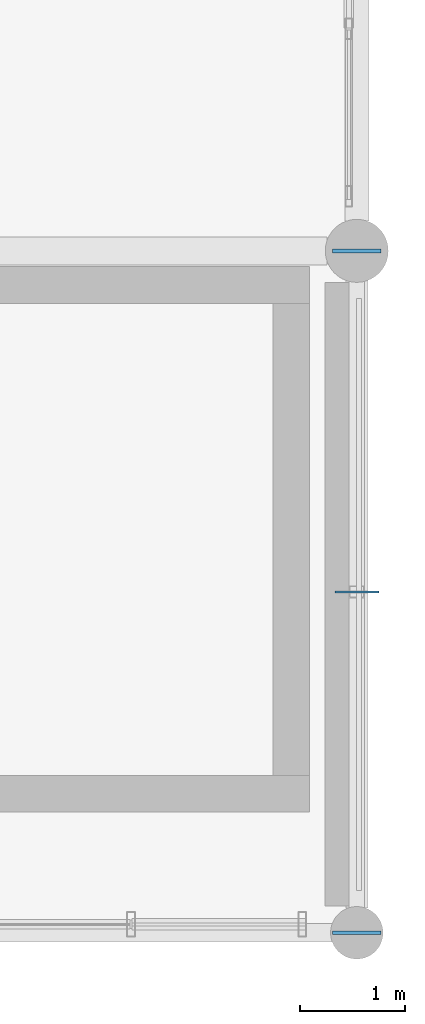
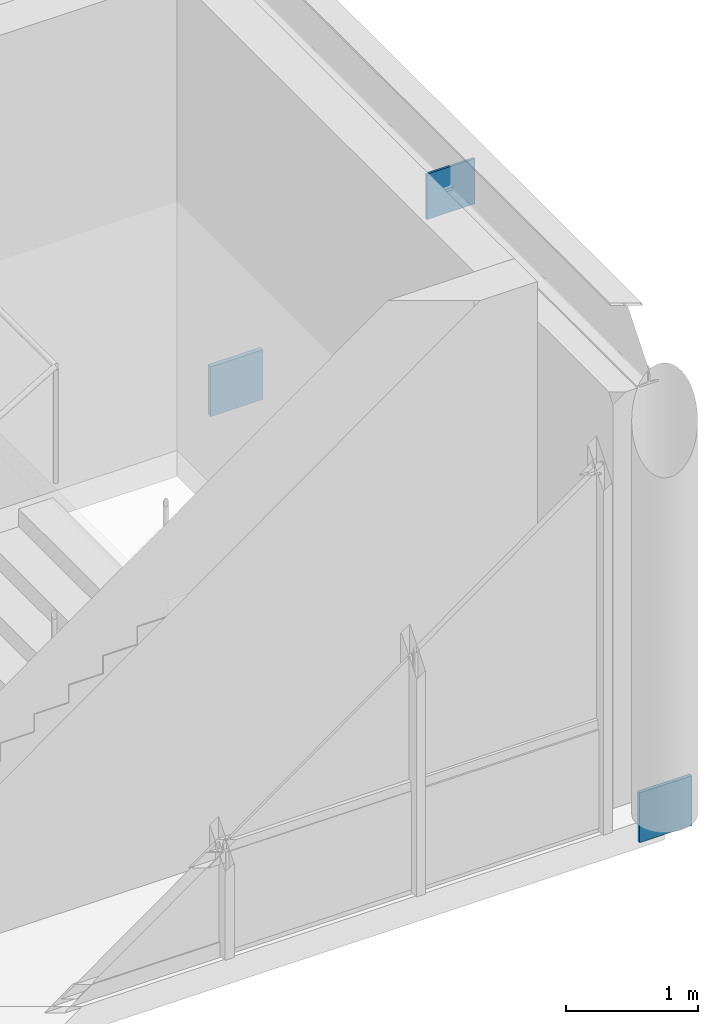
# One storey, part 148 of 168: 3 plates.
"""IFC4 building model written with IfcOpenShell, lengths in metres."""

from ifc_helpers import new_model, si_unit, direction, frame, origin, origin_2d, place, context, subcontext, project, spatial, rectangle, extrude, material, layer, layer_set, type_object, element, save


model = new_model("IFC4")

# Units and contexts
model_context = context("Model", 3, precision=1e-05, world=origin(), true_north=direction((0.0, 1.0)))
body_context = subcontext(model_context, "Body", "Model", "MODEL_VIEW")
ifc_project = project(units=[si_unit("LENGTHUNIT", "METRE"), si_unit("AREAUNIT", "SQUARE_METRE"), si_unit("VOLUMEUNIT", "CUBIC_METRE"), si_unit("PLANEANGLEUNIT", "RADIAN"), si_unit("MASSUNIT", "GRAM", prefix="KILO"), si_unit("THERMODYNAMICTEMPERATUREUNIT", "KELVIN"), si_unit("POWERUNIT", "WATT")], contexts=[model_context])

# Site, building, storey
site_placement = place(None, origin())
site = spatial("IfcSite", under=ifc_project, at=site_placement, CompositionType="ELEMENT")
building_placement = place(site_placement, origin())
building = spatial("IfcBuilding", under=site, at=building_placement, Name="Tepalcoro Natatorium and Aquatics Centre", CompositionType="ELEMENT")
storey_placement = place(building_placement, frame((0.0, 0.0, 10.199951171875)))
storey = spatial("IfcBuildingStorey", under=building, at=storey_placement, Name="L02", CompositionType="ELEMENT", Elevation=10.199951171875)

# Plates
ifc_material = material(Name="Plate Steel ASTM A572 Grade 50 (Fy 345 MPa)", Category="steel")
ifc_layer_1 = layer(ifc_material, 0.031982421875)
ifc_layer_set_1 = layer_set([ifc_layer_1], Name="Plate Steel ASTM A572 Grade 50 (Fy 345 MPa)")
plate_type_1 = type_object("IfcPlateType", Name="PL_CAP_32", PredefinedType="USERDEFINED", material=ifc_layer_set_1)
plate_1_placement = place(storey_placement, frame((176.0, 6.5, -0.179931640625), z_axis=(0.0, 0.0, 1.0), x_axis=(1.0, 0.0, 0.0)))
element("IfcPlate", 1, at=plate_1_placement, inside=storey, type_object=plate_type_1, Name="Truss Node Cap Plate BRB_6", ObjectType="CAP PLATE", PredefinedType="USERDEFINED", context=body_context, shape_type="SweptSolid", body=[
    extrude(rectangle(XDim=0.4599609375, YDim=0.031982421875, at=origin_2d()), origin(), (0.0, 0.0, 1.0), 0.4599609375),
])
ifc_layer_2 = layer(ifc_material, 0.02001953125)
ifc_layer_set_2 = layer_set([ifc_layer_2], Name="Plate Steel ASTM A572 Grade 50 (Fy 345 MPa)")
plate_type_2 = type_object("IfcPlateType", Name="PL_GUSSET_20", PredefinedType="USERDEFINED", material=ifc_layer_set_2)
plate_2_placement = place(storey_placement, frame((176.0, 9.75, 3.60009765625), z_axis=(0.0, 0.0, 1.0), x_axis=(1.0, 0.0, 0.0)))
element("IfcPlate", 2, at=plate_2_placement, inside=storey, type_object=plate_type_2, Name="V2 L02 Chevron Gusset Plate GP1", ObjectType="GUSSET PLATE", PredefinedType="USERDEFINED", context=body_context, shape_type="SweptSolid", body=[
    extrude(rectangle(XDim=0.419921875, YDim=0.02001953125, at=origin_2d()), origin(), (0.0, 0.0, 1.0), 0.419921875),
])
ifc_layer_3 = layer(ifc_material, 0.0400390625)
ifc_layer_set_3 = layer_set([ifc_layer_3], Name="Plate Steel ASTM A572 Grade 50 (Fy 345 MPa)")
plate_type_3 = type_object("IfcPlateType", Name="PL_GUSSET_40", PredefinedType="USERDEFINED", material=ifc_layer_set_3)
plate_3_placement = place(storey_placement, frame((176.0, 13.0, -0.179931640625), z_axis=(0.0, 0.0, 1.0), x_axis=(1.0, 0.0, 0.0)))
element("IfcPlate", 3, at=plate_3_placement, inside=storey, type_object=plate_type_3, Name="Truss Node Gusset Plate BRB_6", ObjectType="GUSSET PLATE", PredefinedType="USERDEFINED", context=body_context, shape_type="SweptSolid", body=[
    extrude(rectangle(XDim=0.4599609375, YDim=0.0400390625, at=origin_2d()), origin(), (0.0, 0.0, 1.0), 0.4599609375),
])

save(model, "model.ifc")
